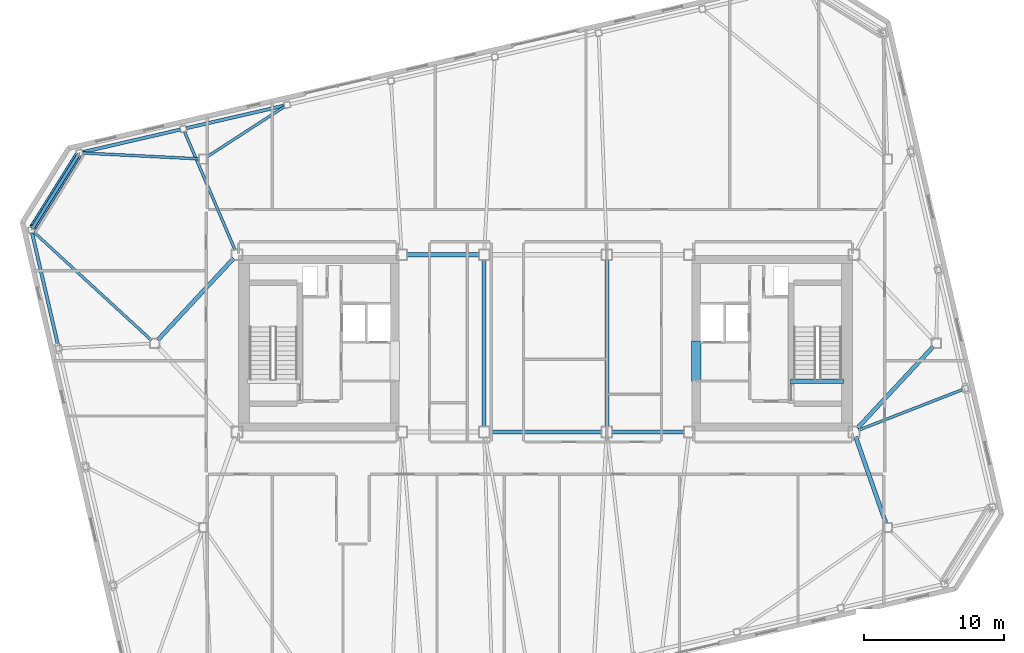
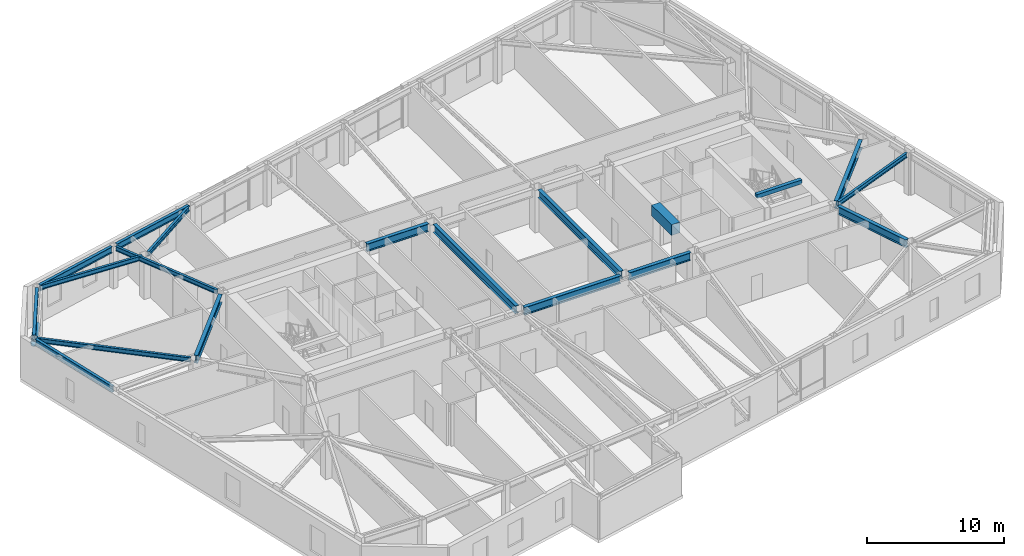
# One storey, part 9 of 21: 19 beams, 1 member.
"""IFC4 building model written with IfcOpenShell, lengths in metres."""

from ifc_helpers import new_model, si_unit, direction, frame, origin, origin_2d, place, context, subcontext, project, spatial, rectangle, hollow_circle, i_section, extrude, material, material_profile, profile_set, type_object, element, save


model = new_model("IFC4")

# Units and contexts
model_context = context("Model", 3, precision=1e-05, world=origin(), true_north=direction((0.0, 1.0)))
body_context = subcontext(model_context, "Body", "Model", "MODEL_VIEW")
ifc_project = project(units=[si_unit("LENGTHUNIT", "METRE"), si_unit("AREAUNIT", "SQUARE_METRE"), si_unit("VOLUMEUNIT", "CUBIC_METRE"), si_unit("PLANEANGLEUNIT", "RADIAN"), si_unit("MASSUNIT", "GRAM", prefix="KILO")], contexts=[model_context])

# Site, building, storey
site_placement = place(None, origin())
site = spatial("IfcSite", under=ifc_project, at=site_placement, CompositionType="ELEMENT")
building_placement = place(site_placement, origin())
building = spatial("IfcBuilding", under=site, at=building_placement, Name="Tavrogorsk Clinical Tower", CompositionType="ELEMENT")
storey_placement = place(building_placement, frame((0.0, 0.0, 285.0)))
storey = spatial("IfcBuildingStorey", under=building, at=storey_placement, Name="L66", CompositionType="ELEMENT", Elevation=285.0)

# Beam
ifc_material_1 = material(Name="Concrete B80", Category="concrete")
ifc_material_profile_1 = material_profile(ifc_material_1, rectangle(XDim=0.699951171875, YDim=0.949951171875, at=origin_2d()), Name="RC-CB-700x950")
ifc_profile_set_1 = profile_set([ifc_material_profile_1], Name="Concrete B80")
beam_type_1 = type_object("IfcBeamType", Name="CouplingBeam_RC700x950", PredefinedType="LINTEL", material=ifc_profile_set_1)
beam_1_placement = place(storey_placement, frame((10.800048828125, -2.75, 3.264892578125), z_axis=(0.0, 1.0, 0.0), x_axis=(-1.0, 0.0, 0.0)))
element("IfcBeam", 1, at=beam_1_placement, inside=storey, type_object=beam_type_1, Name="L66 Core East Coupling Beam", PredefinedType="LINTEL", context=body_context, shape_type="SweptSolid", body=[
    extrude(rectangle(XDim=0.699951171875, YDim=0.949951171875, at=origin_2d()), origin(), (0.0, 0.0, 1.0), 2.89990234375),
])

# Member
ifc_material_2 = material(Name="Structural steel S440", Category="steel")
ifc_material_profile_2 = material_profile(ifc_material_2, hollow_circle(Radius=0.25390625, WallThickness=0.02001953125, at=origin_2d()), Name="CHS-508x20")
ifc_profile_set_2 = profile_set([ifc_material_profile_2], Name="Structural steel S440")
member_type = type_object("IfcMemberType", Name="ExoBrace_CHS508", PredefinedType="BRACE", material=ifc_profile_set_2)
member_placement = place(storey_placement, frame((-33.501708984375, 13.4638671875, 0.393310546875), z_axis=(-0.485643868835, -0.777221605895, 0.400095748531), x_axis=(0.848056967697, -0.529905066536, 0.0)))
element("IfcMember", 2, at=member_placement, inside=storey, type_object=member_type, Name="L66 Corner Exoskeleton Brace N8-W1", PredefinedType="BRACE", context=body_context, shape_type="SweptSolid", body=[
    extrude(hollow_circle(Radius=0.25390625, WallThickness=0.02001953125, at=origin_2d()), origin(), (0.0, 0.0, 1.0), 6.63232421875),
])

# Beams
ifc_material_3 = material(Name="Structural steel S355", Category="steel")
ifc_material_profile_3 = material_profile(ifc_material_3, i_section(OverallWidth=0.199951171875, OverallDepth=0.39990234375, WebThickness=0.010498046875, FlangeThickness=0.01611328125, at=origin_2d()), Name="B-400x200x10.5x16")
ifc_profile_set_3 = profile_set([ifc_material_profile_3], Name="Structural steel S355")
beam_type_2 = type_object("IfcBeamType", Name="FloorBeam_B400", PredefinedType="BEAM", material=ifc_profile_set_3)
beam_2_placement = place(storey_placement, frame((-24.23974609375, 13.36865234375, 3.5400390625), z_axis=(0.839287867478, 0.543687295699, 0.0), x_axis=(-0.543687295699, 0.839287867478, 0.0)))
element("IfcBeam", 3, at=beam_2_placement, inside=storey, type_object=beam_type_2, Name="L66 Radial Floor Beam N6", PredefinedType="BEAM", context=body_context, shape_type="SweptSolid", body=[
    extrude(i_section(OverallWidth=0.199951171875, OverallDepth=0.39990234375, WebThickness=0.010498046875, FlangeThickness=0.01611328125, at=origin_2d()), origin(), (0.0, 0.0, 1.0), 6.592529296875),
])
beam_3_placement = place(storey_placement, frame((-22.241455078125, 6.68115234375, 3.5400390625), z_axis=(-0.392846927495, 0.919603877524, 0.0), x_axis=(-0.919603877524, -0.392846927495, 0.0)))
element("IfcBeam", 4, at=beam_3_placement, inside=storey, type_object=beam_type_2, Name="L66 Radial Floor Beam N7", PredefinedType="BEAM", context=body_context, shape_type="SweptSolid", body=[
    extrude(i_section(OverallWidth=0.199951171875, OverallDepth=0.39990234375, WebThickness=0.010498046875, FlangeThickness=0.01611328125, at=origin_2d()), origin(), (0.0, 0.0, 1.0), 9.20703125),
])
beam_4_placement = place(storey_placement, frame((-24.8095703125, 13.215576171875, 3.5400390625), z_axis=(-0.998749933549, 0.049985700304, 0.0), x_axis=(-0.049985700304, -0.998749933549, 0.0)))
element("IfcBeam", 5, at=beam_4_placement, inside=storey, type_object=beam_type_2, Name="L66 Radial Floor Beam N8", PredefinedType="BEAM", context=body_context, shape_type="SweptSolid", body=[
    extrude(i_section(OverallWidth=0.199951171875, OverallDepth=0.39990234375, WebThickness=0.010498046875, FlangeThickness=0.01611328125, at=origin_2d()), origin(), (0.0, 0.0, 1.0), 8.35693359375),
])
beam_5_placement = place(storey_placement, frame((22.435546875, -6.21923828125, 3.5400390625), z_axis=(0.931742794521, 0.363118940375, 0.0), x_axis=(-0.363118940375, 0.931742794521, 0.0)))
element("IfcBeam", 6, at=beam_5_placement, inside=storey, type_object=beam_type_2, Name="L66 Radial Floor Beam E2", PredefinedType="BEAM", context=body_context, shape_type="SweptSolid", body=[
    extrude(i_section(OverallWidth=0.199951171875, OverallDepth=0.39990234375, WebThickness=0.010498046875, FlangeThickness=0.01611328125, at=origin_2d()), origin(), (0.0, 0.0, 1.0), 7.968017578125),
])
beam_6_placement = place(storey_placement, frame((-28.228271484375, 0.2099609375, 3.5400390625), z_axis=(-0.735959452605, 0.677025615557, 0.0), x_axis=(-0.677025615557, -0.735959452605, 0.0)))
element("IfcBeam", 7, at=beam_6_placement, inside=storey, type_object=beam_type_2, Name="L66 Radial Floor Beam W1", PredefinedType="BEAM", context=body_context, shape_type="SweptSolid", body=[
    extrude(i_section(OverallWidth=0.199951171875, OverallDepth=0.39990234375, WebThickness=0.010498046875, FlangeThickness=0.01611328125, at=origin_2d()), origin(), (0.0, 0.0, 1.0), 11.462646484375),
])
ifc_material_4 = material(Name="Structural steel S390", Category="steel")
ifc_material_profile_4 = material_profile(ifc_material_4, i_section(OverallWidth=0.300048828125, OverallDepth=0.699951171875, WebThickness=0.01708984375, FlangeThickness=0.028076171875, at=origin_2d()), Name="B-700x300x17x28")
ifc_profile_set_4 = profile_set([ifc_material_profile_4], Name="Structural steel S390")
beam_type_3 = type_object("IfcBeamType", Name="PrimaryGirder_B700", PredefinedType="USERDEFINED", material=ifc_profile_set_4)
beam_7_placement = place(storey_placement, frame((-9.93994140625, 6.35009765625, 3.389892578125), z_axis=(1.0, 0.0, 0.0), x_axis=(0.0, 1.0, 0.0)))
element("IfcBeam", 8, at=beam_7_placement, inside=storey, type_object=beam_type_3, Name="L66 Primary Spine Girder MG-02", ObjectType="GIRDER", PredefinedType="USERDEFINED", context=body_context, shape_type="SweptSolid", body=[
    extrude(i_section(OverallWidth=0.300048828125, OverallDepth=0.699951171875, WebThickness=0.01708984375, FlangeThickness=0.028076171875, at=origin_2d()), origin(), (0.0, 0.0, 1.0), 5.179931640625),
])
beam_8_placement = place(storey_placement, frame((-4.0400390625, -6.35009765625, 3.389892578125), z_axis=(1.0, 0.0, 0.0), x_axis=(0.0, 1.0, 0.0)))
element("IfcBeam", 9, at=beam_8_placement, inside=storey, type_object=beam_type_3, Name="L66 Primary Spine Girder MG-03", ObjectType="GIRDER", PredefinedType="USERDEFINED", context=body_context, shape_type="SweptSolid", body=[
    extrude(i_section(OverallWidth=0.300048828125, OverallDepth=0.699951171875, WebThickness=0.01708984375, FlangeThickness=0.028076171875, at=origin_2d()), origin(), (0.0, 0.0, 1.0), 8.080078125),
])
beam_9_placement = place(storey_placement, frame((4.760009765625, -6.35009765625, 3.389892578125), z_axis=(1.0, 0.0, 0.0), x_axis=(0.0, 1.0, 0.0)))
element("IfcBeam", 10, at=beam_9_placement, inside=storey, type_object=beam_type_3, Name="L66 Primary Spine Girder MG-05", ObjectType="GIRDER", PredefinedType="USERDEFINED", context=body_context, shape_type="SweptSolid", body=[
    extrude(i_section(OverallWidth=0.300048828125, OverallDepth=0.699951171875, WebThickness=0.01708984375, FlangeThickness=0.028076171875, at=origin_2d()), origin(), (0.0, 0.0, 1.0), 5.179931640625),
])
for number, where, z_axis, x_axis, name in (
    (11, (-4.39990234375, -5.989990234375, 3.389892578125), (0.0, 1.0, 0.0), (-1.0, 0.0, 0.0), "L66 Primary Spine Girder MG-07"),
    (12, (4.39990234375, -5.989990234375, 3.389892578125), (0.0, 1.0, 0.0), (-1.0, 0.0, 0.0), "L66 Primary Spine Girder MG-08"),
):
    element("IfcBeam", number, at=place(storey_placement, frame(where, z_axis=z_axis, x_axis=x_axis)), inside=storey, type_object=beam_type_3, Name=name, ObjectType="GIRDER", PredefinedType="USERDEFINED", context=body_context, shape_type="SweptSolid", body=[
        extrude(i_section(OverallWidth=0.300048828125, OverallDepth=0.699951171875, WebThickness=0.01708984375, FlangeThickness=0.028076171875, at=origin_2d()), origin(), (0.0, 0.0, 1.0), 11.97998046875),
    ])
beam_10_placement = place(storey_placement, frame((24.3974609375, -12.907470703125, 3.389892578125), z_axis=(-0.330654121425, 0.943752007672, 0.0), x_axis=(-0.943752007672, -0.330654121425, 0.0)))
element("IfcBeam", 13, at=beam_10_placement, inside=storey, type_object=beam_type_3, Name="L66 Spine Link Girder OPG-2", ObjectType="GIRDER", PredefinedType="USERDEFINED", context=body_context, shape_type="SweptSolid", body=[
    extrude(i_section(OverallWidth=0.300048828125, OverallDepth=0.699951171875, WebThickness=0.01708984375, FlangeThickness=0.028076171875, at=origin_2d()), origin(), (0.0, 0.0, 1.0), 6.58837890625),
])
for number, where, z_axis, x_axis, name in (
    (14, (-27.7890625, 0.22705078125, 3.389892578125), (0.680684060959, 0.732577101168, 0.0), (-0.732577101168, 0.680684060959, 0.0), "L66 Spine Link Girder OPG-6"),
    (15, (27.7890625, -0.22705078125, 3.389892578125), (-0.680684060959, -0.732577101168, 0.0), (0.732577101168, -0.680684060959, 0.0), "L66 Spine Link Girder OPG-7"),
):
    element("IfcBeam", number, at=place(storey_placement, frame(where, z_axis=z_axis, x_axis=x_axis)), inside=storey, type_object=beam_type_3, Name=name, ObjectType="GIRDER", PredefinedType="USERDEFINED", context=body_context, shape_type="SweptSolid", body=[
        extrude(i_section(OverallWidth=0.300048828125, OverallDepth=0.699951171875, WebThickness=0.01708984375, FlangeThickness=0.028076171875, at=origin_2d()), origin(), (0.0, 0.0, 1.0), 7.998046875),
    ])
ifc_material_5 = material(Name="Structural steel S390", Category="steel")
ifc_material_profile_5 = material_profile(ifc_material_5, i_section(OverallWidth=0.239990234375, OverallDepth=0.550048828125, WebThickness=0.013916015625, FlangeThickness=0.02197265625, at=origin_2d()), Name="B-550x240x14x22")
ifc_profile_set_5 = profile_set([ifc_material_profile_5], Name="Structural steel S390")
beam_type_4 = type_object("IfcBeamType", Name="SpandrelBeam_B550", PredefinedType="SPANDREL", material=ifc_profile_set_5)
beam_11_placement = place(storey_placement, frame((-18.73828125, 17.027099609375, 3.465087890625), z_axis=(-0.97437684326, -0.224921691527, 0.0), x_axis=(0.224921691527, -0.97437684326, 0.0)))
element("IfcBeam", 16, at=beam_11_placement, inside=storey, type_object=beam_type_4, Name="L66 Perimeter Spandrel N6-N7", PredefinedType="SPANDREL", context=body_context, shape_type="SweptSolid", body=[
    extrude(i_section(OverallWidth=0.239990234375, OverallDepth=0.550048828125, WebThickness=0.013916015625, FlangeThickness=0.02197265625, at=origin_2d()), origin(), (0.0, 0.0, 1.0), 7.168212890625),
])
beam_12_placement = place(storey_placement, frame((-26.177001953125, 15.309814453125, 3.465087890625), z_axis=(-0.974369378592, -0.224954026551, 0.0), x_axis=(0.224954026551, -0.974369378592, 0.0)))
element("IfcBeam", 17, at=beam_12_placement, inside=storey, type_object=beam_type_4, Name="L66 Perimeter Spandrel N7-N8", PredefinedType="SPANDREL", context=body_context, shape_type="SweptSolid", body=[
    extrude(i_section(OverallWidth=0.239990234375, OverallDepth=0.550048828125, WebThickness=0.013916015625, FlangeThickness=0.02197265625, at=origin_2d()), origin(), (0.0, 0.0, 1.0), 7.16845703125),
])
beam_13_placement = place(storey_placement, frame((-33.511962890625, 13.447265625, 3.465087890625), z_axis=(-0.529933531413, -0.848039180866, 0.0), x_axis=(0.848039180866, -0.529933531413, 0.0)))
element("IfcBeam", 18, at=beam_13_placement, inside=storey, type_object=beam_type_4, Name="L66 Perimeter Spandrel N8-W1", PredefinedType="SPANDREL", context=body_context, shape_type="SweptSolid", body=[
    extrude(i_section(OverallWidth=0.239990234375, OverallDepth=0.550048828125, WebThickness=0.013916015625, FlangeThickness=0.02197265625, at=origin_2d()), origin(), (0.0, 0.0, 1.0), 6.039306640625),
])
beam_14_placement = place(storey_placement, frame((-36.783447265625, 7.901123046875, 3.465087890625), z_axis=(0.224950345141, -0.974370228517, 0.0), x_axis=(0.974370228517, 0.224950345141, 0.0)))
element("IfcBeam", 19, at=beam_14_placement, inside=storey, type_object=beam_type_4, Name="L66 Perimeter Spandrel W1-W2", PredefinedType="SPANDREL", context=body_context, shape_type="SweptSolid", body=[
    extrude(i_section(OverallWidth=0.239990234375, OverallDepth=0.550048828125, WebThickness=0.013916015625, FlangeThickness=0.02197265625, at=origin_2d()), origin(), (0.0, 0.0, 1.0), 8.243896484375),
])
ifc_material_6 = material(Name="Concrete B60", Category="concrete")
ifc_material_profile_6 = material_profile(ifc_material_6, rectangle(XDim=0.300048828125, YDim=0.35009765625, at=origin_2d()), Name="RC-SHB-300x350")
ifc_profile_set_6 = profile_set([ifc_material_profile_6], Name="Concrete B60")
beam_type_5 = type_object("IfcBeamType", Name="StairHeaderBeam_RC300x350", PredefinedType="BEAM", material=ifc_profile_set_6)
beam_15_placement = place(storey_placement, frame((17.550048828125, -2.719970703125, 3.824951171875), z_axis=(1.0, 0.0, 0.0), x_axis=(0.0, 1.0, 0.0)))
element("IfcBeam", 20, at=beam_15_placement, inside=storey, type_object=beam_type_5, Name="L67 ST-E Landing Header Beam", PredefinedType="BEAM", context=body_context, shape_type="SweptSolid", body=[
    extrude(rectangle(XDim=0.300048828125, YDim=0.35009765625, at=origin_2d()), origin(), (0.0, 0.0, 1.0), 3.800048828125),
])

save(model, "model.ifc")
